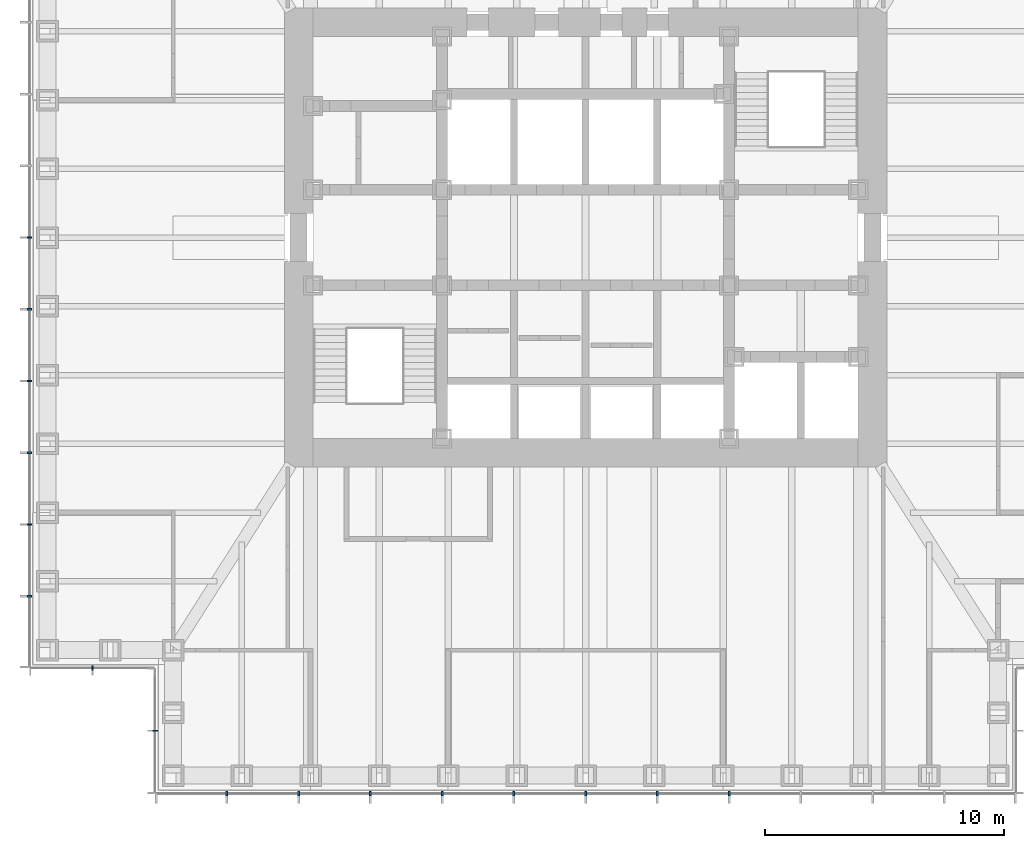
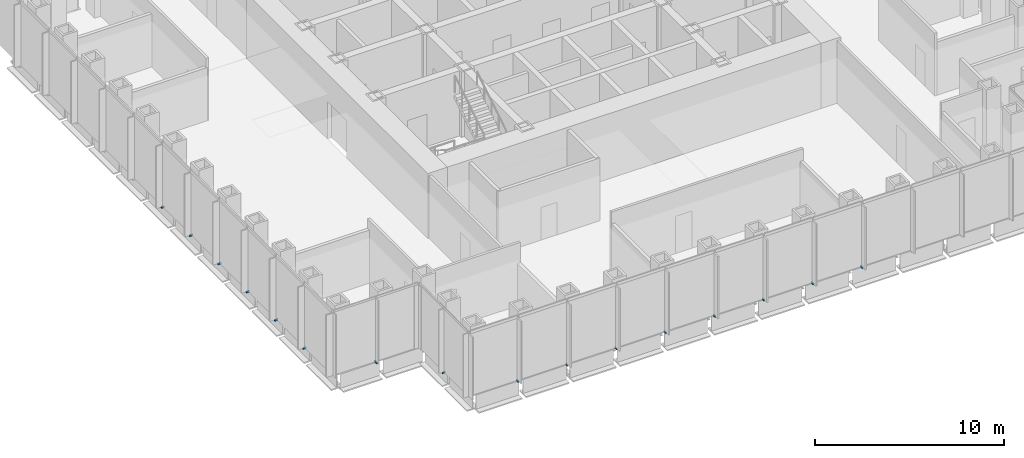
# One storey, part 12 of 17: 16 discrete accessories.
"""IFC4 building model written with IfcOpenShell, lengths in metres."""

import ifcopenshell
import ifcopenshell.guid

model = None  # the IFC model being written
_history = None  # IfcOwnerHistory: only IFC2X3 demands one
_inside = {}  # id of a spatial element -> (the spatial element, [elements in it])
_under = {}  # id of a project, library or spatial element -> (it, [spatial elements below it])
_declared = {}  # id of a project -> (the project, [libraries it declares])
_typed = {}  # id of a type object -> (the type object, [elements of that type])
_made_of = {}  # id of a material, layer set ... -> (it, [elements and type objects made of it])


def new_model(schema):
    """Start an empty IFC model of exactly this schema.

    Asked for "IFC4X3", IfcOpenShell would pick the latest addendum, in which some entities
    have other attributes; the version numbers below select the first issue.
    IFC2X3 requires an IfcOwnerHistory on every rooted entity: one is made here for all.
    """
    global model, _history
    if schema == "IFC4X3":
        model = ifcopenshell.file(schema_version=(4, 3, 0, 0))
    else:
        model = ifcopenshell.file(schema=schema)
    _inside.clear()
    _under.clear()
    _declared.clear()
    _typed.clear()
    _made_of.clear()
    _history = None
    if model.schema == "IFC2X3":
        org = make("IfcOrganization", Name="unknown")
        user = make(
            "IfcPersonAndOrganization",
            ThePerson=make("IfcPerson", FamilyName="unknown"),
            TheOrganization=org,
        )
        app = make(
            "IfcApplication",
            ApplicationDeveloper=org,
            Version="unknown",
            ApplicationFullName="unknown",
            ApplicationIdentifier="unknown",
        )
        _history = make(
            "IfcOwnerHistory",
            OwningUser=user,
            OwningApplication=app,
            ChangeAction="ADDED",
            CreationDate=0,
        )
    return model


def make(cls, **values):
    """One entity of the class cls with the attributes given. An attribute that is None is left unset."""
    return model.create_entity(
        cls, **{name: value for name, value in values.items() if value is not None}
    )


def rooted(cls, **values):
    """An entity with a GlobalId (a new one), such as an element, a storey or a relation."""
    return make(cls, GlobalId=ifcopenshell.guid.new(), OwnerHistory=_history, **values)


def si_unit(unit_type, name, prefix=None):
    """IfcSIUnit, for example si_unit("LENGTHUNIT", "METRE", prefix="MILLI")."""
    return make("IfcSIUnit", UnitType=unit_type, Prefix=prefix, Name=name)


def assignment(units):
    """IfcUnitAssignment: the units of a project."""
    return None if units is None else make("IfcUnitAssignment", Units=units)


def point(xyz):
    """IfcCartesianPoint."""
    return None if xyz is None else make("IfcCartesianPoint", Coordinates=xyz)


def direction(xyz):
    """IfcDirection."""
    return None if xyz is None else make("IfcDirection", DirectionRatios=xyz)


def frame(location, z_axis=None, x_axis=None):
    """IfcAxis2Placement3D, a coordinate frame: its origin and axes. An axis left out is left unset."""
    return make(
        "IfcAxis2Placement3D",
        Location=point(location),
        Axis=direction(z_axis),
        RefDirection=direction(x_axis),
    )


def frame_2d(location, x_axis=None):
    """IfcAxis2Placement2D, a coordinate frame in the plane: its origin and x axis."""
    return make(
        "IfcAxis2Placement2D", Location=point(location), RefDirection=direction(x_axis)
    )


def origin():
    """The frame at (0, 0, 0) with its axes left unset."""
    return frame((0.0, 0.0, 0.0))


def origin_2d():
    """The frame at (0, 0) in the plane with its x axis left unset."""
    return frame_2d((0.0, 0.0))


def place(relative_to, where):
    """IfcLocalPlacement: puts the frame where relative to a parent placement (None: the world)."""
    return make(
        "IfcLocalPlacement", PlacementRelTo=relative_to, RelativePlacement=where
    )


def context(
    kind, dimensions, precision=None, world=None, true_north=None, identifier=None
):
    """IfcGeometricRepresentationContext, for example the 3D "Model" context."""
    return make(
        "IfcGeometricRepresentationContext",
        ContextIdentifier=identifier,
        ContextType=kind,
        CoordinateSpaceDimension=dimensions,
        Precision=precision,
        WorldCoordinateSystem=world,
        TrueNorth=true_north,
    )


def subcontext(parent, identifier, kind, view, scale=None):
    """IfcGeometricRepresentationSubContext, for example "Body" below "Model"."""
    return make(
        "IfcGeometricRepresentationSubContext",
        ContextIdentifier=identifier,
        ContextType=kind,
        ParentContext=parent,
        TargetScale=scale,
        TargetView=view,
    )


def project(units=None, contexts=None):
    """IfcProject with its units and contexts."""
    return rooted(
        "IfcProject",
        Name="project",
        RepresentationContexts=contexts,
        UnitsInContext=assignment(units),
    )


def spatial(cls, under=None, at=None, **own):
    """A site, building, storey or space (cls), placed at a placement, below another one or the project."""
    s = rooted(cls, ObjectPlacement=at, **own)
    if under is not None:
        _under.setdefault(under.id(), (under, []))[1].append(s)
    return s


def profile(cls, at=None, kind="AREA", **sizes):
    """A parametric profile (cls). Its sizes go by their IFC names, for example OverallWidth=200.0."""
    return make(cls, ProfileType=kind, Position=at, **sizes)


def rectangle(**sizes):
    """IfcRectangleProfileDef."""
    return profile("IfcRectangleProfileDef", **sizes)


def extrude(swept, where, along, depth):
    """IfcExtrudedAreaSolid: the profile swept, set in the frame where, extruded along a direction by depth."""
    return make(
        "IfcExtrudedAreaSolid",
        SweptArea=swept,
        Position=where,
        ExtrudedDirection=direction(along),
        Depth=depth,
    )


def shape(context_of_items, identifier, shape_type, items):
    """IfcShapeRepresentation: the items that make up one representation, for example the "Body"."""
    return make(
        "IfcShapeRepresentation",
        ContextOfItems=context_of_items,
        RepresentationIdentifier=identifier,
        RepresentationType=shape_type,
        Items=items,
    )


def made_of(thing, what):
    """Note that an element or type object is made of a material, layer set ...; save() writes the relation."""
    if what is not None:
        _made_of.setdefault(what.id(), (what, []))[1].append(thing)
    return thing


def element(
    cls,
    number,
    at=None,
    inside=None,
    cuts=None,
    type_object=None,
    material=None,
    context=None,
    identifier="Body",
    shape_type=None,
    held_by="IfcProductDefinitionShape",
    body=None,
    shapes=None,
    **own,
):
    """One element of the class cls, such as IfcWall. Its Tag is "e" and its number.

    at: its placement. inside: the storey or other place that contains it. cuts: it is an
    opening in that element (IfcRelVoidsElement). A single representation is given by context,
    identifier, shape_type and body (its items); several are given by shapes. held_by: the class
    of the entity that holds the representations. save() writes the other relations.
    """
    e = rooted(cls, Tag="e%d" % number, ObjectPlacement=at, **own)
    if body is not None:
        shapes = [shape(context, identifier, shape_type, body)]
    if shapes is not None:
        e.Representation = make(held_by, Representations=shapes)
    if inside is not None:
        _inside.setdefault(inside.id(), (inside, []))[1].append(e)
    if cuts is not None:
        rooted(
            "IfcRelVoidsElement", RelatingBuildingElement=cuts, RelatedOpeningElement=e
        )
    if type_object is not None:
        _typed.setdefault(type_object.id(), (type_object, []))[1].append(e)
    return made_of(e, material)


def aggregate(whole, parts):
    """IfcRelAggregates: a whole, such as a stair, and the parts it consists of."""
    return rooted("IfcRelAggregates", RelatingObject=whole, RelatedObjects=parts)


def save(model, path):
    """Write the relations noted so far, then the file.

    IfcRelAggregates (storeys below a building ...), IfcRelContainedInSpatialStructure (elements
    in a storey), IfcRelDefinesByType, IfcRelAssociatesMaterial and IfcRelDeclares: one each for
    every whole, place, type object, material and project.
    """
    for whole, parts in _under.values():
        aggregate(whole, parts)
    for where, things in _inside.values():
        rooted(
            "IfcRelContainedInSpatialStructure",
            RelatedElements=things,
            RelatingStructure=where,
        )
    for kind, things in _typed.values():
        rooted("IfcRelDefinesByType", RelatedObjects=things, RelatingType=kind)
    for what, things in _made_of.values():
        rooted("IfcRelAssociatesMaterial", RelatedObjects=things, RelatingMaterial=what)
    for by, libraries in _declared.values():
        rooted("IfcRelDeclares", RelatingContext=by, RelatedDefinitions=libraries)
    model.write(path)


model = new_model("IFC4")

# Units and contexts
model_context = context("Model", 3, precision=1e-05, world=origin(), true_north=direction((0.0, 1.0)))
body_context = subcontext(model_context, "Body", "Model", "MODEL_VIEW")
ifc_project = project(units=[si_unit("LENGTHUNIT", "METRE"), si_unit("AREAUNIT", "SQUARE_METRE"), si_unit("VOLUMEUNIT", "CUBIC_METRE"), si_unit("PLANEANGLEUNIT", "RADIAN"), si_unit("MASSUNIT", "GRAM", prefix="KILO")], contexts=[model_context])

# Site, building, storey
site_placement = place(None, origin())
site = spatial("IfcSite", under=ifc_project, at=site_placement, CompositionType="ELEMENT")
building_placement = place(site_placement, origin())
building = spatial("IfcBuilding", under=site, at=building_placement, Name="Daluyong Arena Tower", CompositionType="ELEMENT")
storey_placement = place(building_placement, frame((0.0, 0.0, 150.10009765625)))
storey = spatial("IfcBuildingStorey", under=building, at=storey_placement, Name="L33", CompositionType="ELEMENT", Elevation=150.10009765625)

# Discrete accessories
for number, where, z_axis, x_axis, name in (
    (1, (41.0, 56.75, -0.10009765625), (0.0, 0.0, 1.0), (1.0, 0.0, 0.0), "curtain wall L33 S anchor bracket 2"),
    (2, (44.0, 56.75, -0.10009765625), (0.0, 0.0, 1.0), (1.0, 0.0, 0.0), "curtain wall L33 S anchor bracket 3"),
    (3, (47.0, 56.75, -0.10009765625), (0.0, 0.0, 1.0), (1.0, 0.0, 0.0), "curtain wall L33 S anchor bracket 4"),
    (4, (50.0, 56.75, -0.10009765625), (0.0, 0.0, 1.0), (1.0, 0.0, 0.0), "curtain wall L33 S anchor bracket 5"),
    (5, (53.0, 56.75, -0.10009765625), (0.0, 0.0, 1.0), (1.0, 0.0, 0.0), "curtain wall L33 S anchor bracket 6"),
    (6, (56.0, 56.75, -0.10009765625), (0.0, 0.0, 1.0), (1.0, 0.0, 0.0), "curtain wall L33 S anchor bracket 7"),
    (7, (59.0, 56.75, -0.10009765625), (0.0, 0.0, 1.0), (1.0, 0.0, 0.0), "curtain wall L33 S anchor bracket 8"),
    (8, (62.0, 56.75, -0.10009765625), (0.0, 0.0, 1.0), (1.0, 0.0, 0.0), "curtain wall L33 S anchor bracket 9"),
    (9, (32.75, 80.0, -0.10009765625), (0.0, 0.0, 1.0), (0.0, -1.0, 0.0), "curtain wall L33 W anchor bracket 7"),
    (10, (32.75, 77.0, -0.10009765625), (0.0, 0.0, 1.0), (0.0, -1.0, 0.0), "curtain wall L33 W anchor bracket 8"),
    (11, (32.75, 74.0, -0.10009765625), (0.0, 0.0, 1.0), (0.0, -1.0, 0.0), "curtain wall L33 W anchor bracket 9"),
    (12, (32.75, 71.0, -0.10009765625), (0.0, 0.0, 1.0), (0.0, -1.0, 0.0), "curtain wall L33 W anchor bracket 10"),
    (13, (32.75, 68.0, -0.10009765625), (0.0, 0.0, 1.0), (0.0, -1.0, 0.0), "curtain wall L33 W anchor bracket 11"),
    (14, (32.75, 65.0, -0.10009765625), (0.0, 0.0, 1.0), (0.0, -1.0, 0.0), "curtain wall L33 W anchor bracket 12"),
):
    element("IfcDiscreteAccessory", number, at=place(storey_placement, frame(where, z_axis=z_axis, x_axis=x_axis)), inside=storey, Name=name, PredefinedType="BRACKET", context=body_context, shape_type="SweptSolid", body=[
        extrude(rectangle(XDim=0.080078125, YDim=0.199951171875, at=origin_2d()), origin(), (0.0, 0.0, 1.0), 0.10009765625),
    ])
for number, where, z_axis, x_axis, name in (
    (15, (35.375, 62.0, -0.10009765625), (0.0, 0.0, 1.0), (1.0, 0.0, 0.0), "curtain wall L33 SW-S anchor bracket 2"),
    (16, (38.0, 59.375, -0.10009765625), (0.0, 0.0, 1.0), (0.0, -1.0, 0.0), "curtain wall L33 SW-W anchor bracket 2"),
):
    element("IfcDiscreteAccessory", number, at=place(storey_placement, frame(where, z_axis=z_axis, x_axis=x_axis)), inside=storey, Name=name, PredefinedType="BRACKET", context=body_context, shape_type="SweptSolid", body=[
        extrude(rectangle(XDim=0.06005859375, YDim=0.199951171875, at=origin_2d()), origin(), (0.0, 0.0, 1.0), 0.10009765625),
    ])

save(model, "model.ifc")
